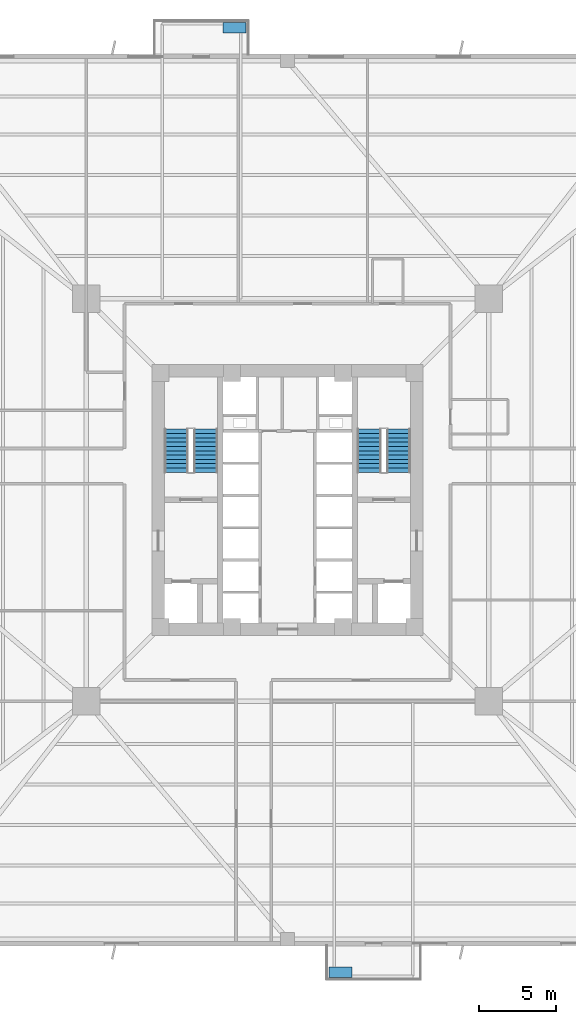
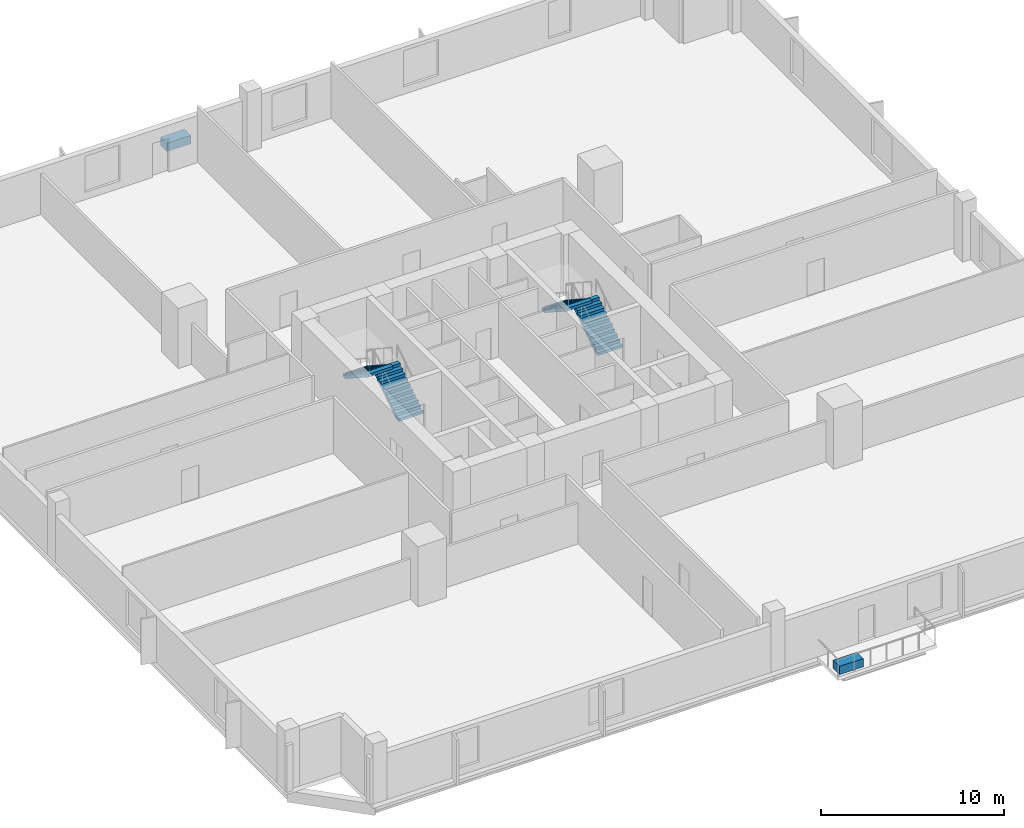
# One storey, part 5 of 8: 4 stair flights, 2 discrete accessories, 2 elements without a shape of their own.
"""IFC4 building model written with IfcOpenShell, lengths in metres."""

from ifc_helpers import new_model, si_unit, direction, frame, origin, origin_2d, place, context, subcontext, project, spatial, polyline, rectangle, outline, extrude, source, transform, mapped, material, type_object, element, aggregate, save


model = new_model("IFC4")

# Units and contexts
model_context = context("Model", 3, precision=1e-05, world=origin(), true_north=direction((0.0, 1.0)))
body_context = subcontext(model_context, "Body", "Model", "MODEL_VIEW")
ifc_project = project(units=[si_unit("LENGTHUNIT", "METRE"), si_unit("AREAUNIT", "SQUARE_METRE"), si_unit("VOLUMEUNIT", "CUBIC_METRE"), si_unit("PLANEANGLEUNIT", "RADIAN"), si_unit("MASSUNIT", "GRAM", prefix="KILO"), si_unit("THERMODYNAMICTEMPERATUREUNIT", "KELVIN")], contexts=[model_context])

# Site, building, storey
site_placement = place(None, origin())
site = spatial("IfcSite", under=ifc_project, at=site_placement, CompositionType="ELEMENT")
building_placement = place(site_placement, origin())
building = spatial("IfcBuilding", under=site, at=building_placement, Name="Kosmvard Interchange Tower", CompositionType="ELEMENT")
storey_placement = place(building_placement, frame((0.0, 0.0, 62.0)))
storey = spatial("IfcBuildingStorey", under=building, at=storey_placement, Name="L14", CompositionType="ELEMENT", Elevation=62.0)

# Stair, stair flights
ifc_material_1 = material(Name="Concrete C50/60", Category="concrete")
stair_type = type_object("IfcStairType", Name="Dog-Leg Core Exit Stair H4000 C50/60", PredefinedType="HALF_TURN_STAIR", material=ifc_material_1)
stair_1_placement = place(storey_placement, origin())
stair_1 = element("IfcStair", 1, at=stair_1_placement, inside=storey, type_object=stair_type, Name="L14 Protected Exit Stair ST-1", PredefinedType="HALF_TURN_STAIR")
stair_flight_type = type_object("IfcStairFlightType", Name="Core Stair Flight W1550 H4000 C50/60", PredefinedType="STRAIGHT", material=ifc_material_1)
shared_shape_1 = source(origin(), body_context, "Body", "SweptSolid", [
    extrude(outline(polyline([(0.0, 0.0), (0.0, 0.181884765625), (0.280029296875, 0.181884765625), (0.280029296875, 0.363525390625), (0.56005859375, 0.363525390625), (0.56005859375, 0.54541015625), (0.840087890625, 0.54541015625), (0.840087890625, 0.727294921875), (1.1201171875, 0.727294921875), (1.1201171875, 0.9091796875), (1.39990234375, 0.9091796875), (1.39990234375, 1.0908203125), (1.679931640625, 1.0908203125), (1.679931640625, 1.272705078125), (1.9599609375, 1.272705078125), (1.9599609375, 1.45458984375), (2.239990234375, 1.45458984375), (2.239990234375, 1.636474609375), (2.52001953125, 1.636474609375), (2.52001953125, 1.818115234375), (2.800048828125, 1.818115234375), (2.800048828125, 2.0), (2.800048828125, 1.62744140625), (0.293701171875, 0.0), (0.0, 0.0)])), frame((0.0, 0.77490234375, 0.0), z_axis=(0.0, -1.0, 0.0), x_axis=(1.0, 0.0, 0.0)), (0.0, 0.0, 1.0), 1.550048828125),
])
stair_flight_1_placement = place(storey_placement, frame((-5.31494140625, 1.800048828125, 0.0), z_axis=(0.0, 0.0, 1.0), x_axis=(0.0, 1.0, 0.0)))
stair_flight_1 = element("IfcStairFlight", 2, at=stair_flight_1_placement, type_object=stair_flight_type, Name="ST-1 flight 1", NumberOfRisers=11, NumberOfTreads=10, PredefinedType="STRAIGHT", RiserHeight=0.181818182, TreadLength=0.28, context=body_context, shape_type="MappedRepresentation", body=[
    mapped(shared_shape_1, transform((0.0, 0.0, 0.0), scale=1.0)),
])
stair_flight_2_placement = place(storey_placement, frame((-7.22509765625, 4.60009765625, 2.0), z_axis=(0.0, 0.0, 1.0), x_axis=(0.0, -1.0, 0.0)))
stair_flight_2 = element("IfcStairFlight", 3, at=stair_flight_2_placement, type_object=stair_flight_type, Name="ST-1 flight 2", NumberOfRisers=11, NumberOfTreads=10, PredefinedType="STRAIGHT", RiserHeight=0.181818182, TreadLength=0.28, context=body_context, shape_type="MappedRepresentation", body=[
    mapped(shared_shape_1, transform((0.0, 0.0, 0.0), scale=1.0)),
])
aggregate(stair_1, [stair_flight_1, stair_flight_2])

stair_2_placement = place(storey_placement, origin())
stair_2 = element("IfcStair", 4, at=stair_2_placement, inside=storey, type_object=stair_type, Name="L14 Protected Exit Stair ST-2", PredefinedType="HALF_TURN_STAIR")
stair_flight_3_placement = place(storey_placement, frame((7.22509765625, 1.800048828125, 0.0), z_axis=(0.0, 0.0, 1.0), x_axis=(0.0, 1.0, 0.0)))
stair_flight_3 = element("IfcStairFlight", 5, at=stair_flight_3_placement, type_object=stair_flight_type, Name="ST-2 flight 1", NumberOfRisers=11, NumberOfTreads=10, PredefinedType="STRAIGHT", RiserHeight=0.181818182, TreadLength=0.28, context=body_context, shape_type="MappedRepresentation", body=[
    mapped(shared_shape_1, transform((0.0, 0.0, 0.0), scale=1.0)),
])
stair_flight_4_placement = place(storey_placement, frame((5.31494140625, 4.60009765625, 2.0), z_axis=(0.0, 0.0, 1.0), x_axis=(0.0, -1.0, 0.0)))
stair_flight_4 = element("IfcStairFlight", 6, at=stair_flight_4_placement, type_object=stair_flight_type, Name="ST-2 flight 2", NumberOfRisers=11, NumberOfTreads=10, PredefinedType="STRAIGHT", RiserHeight=0.181818182, TreadLength=0.28, context=body_context, shape_type="MappedRepresentation", body=[
    mapped(shared_shape_1, transform((0.0, 0.0, 0.0), scale=1.0)),
])
aggregate(stair_2, [stair_flight_3, stair_flight_4])

# Discrete accessories
ifc_material_2 = material(Name="Terracotta precast planter concrete C45/55", Category="masonry")
discrete_accessory_type = type_object("IfcDiscreteAccessoryType", Name="Precast Tree-Balcony & Terrace Planter Box", PredefinedType="USERDEFINED", material=ifc_material_2)
shared_shape_2 = source(origin(), body_context, "Body", "SweptSolid", [
    extrude(rectangle(XDim=1.5, YDim=0.699951171875, at=origin_2d()), origin(), (0.0, 0.0, 1.0), 0.550048828125),
])
for number, where, z_axis, x_axis, name in (
    (7, (3.449951171875, -30.699951171875, 0.0), (0.0, 0.0, 1.0), (1.0, 0.0, 0.0), "L14 Balcony Tree Planter BAL-L14-SW"),
    (8, (-3.449951171875, 30.699951171875, 0.0), (0.0, 0.0, 1.0), (1.0, 0.0, 0.0), "L14 Balcony Tree Planter BAL-L14-NE"),
):
    element("IfcDiscreteAccessory", number, at=place(storey_placement, frame(where, z_axis=z_axis, x_axis=x_axis)), inside=storey, type_object=discrete_accessory_type, Name=name, ObjectType="PLANTER", PredefinedType="USERDEFINED", context=body_context, shape_type="MappedRepresentation", body=[
        mapped(shared_shape_2, transform((0.0, 0.0, 0.0), scale=1.0)),
    ])

save(model, "model.ifc")
